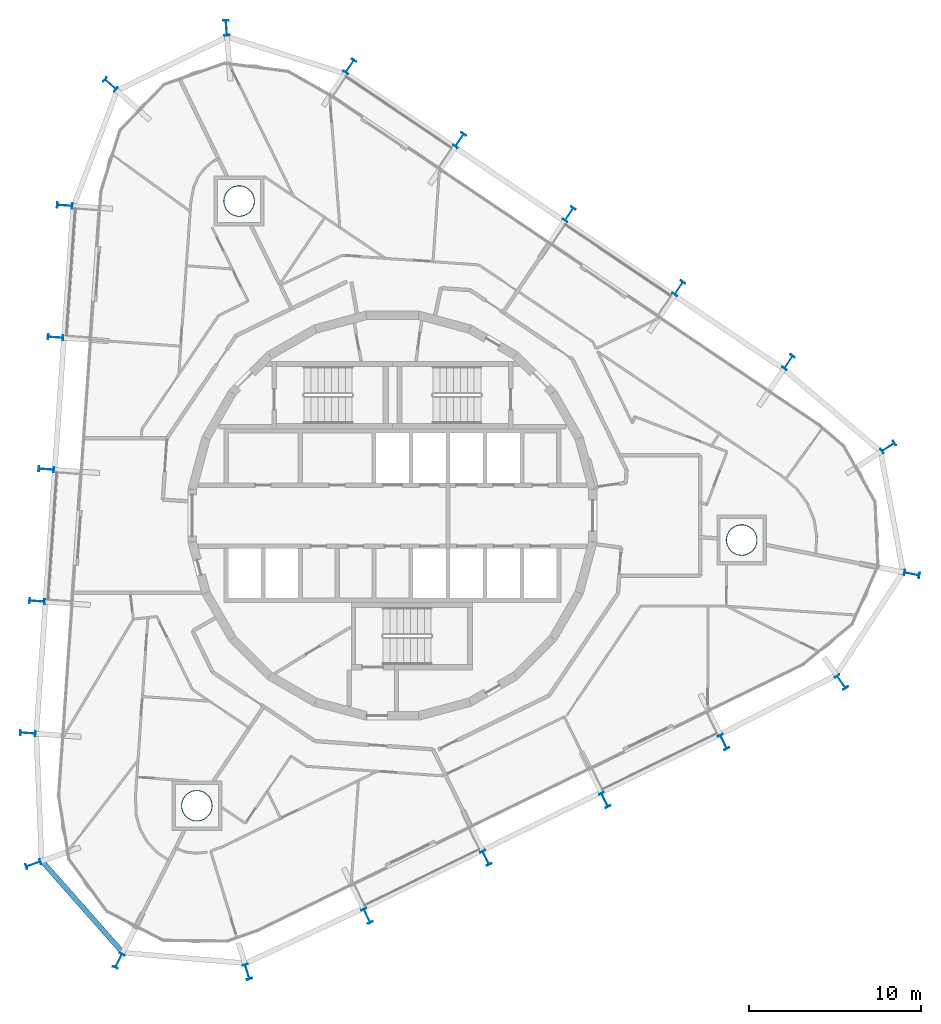
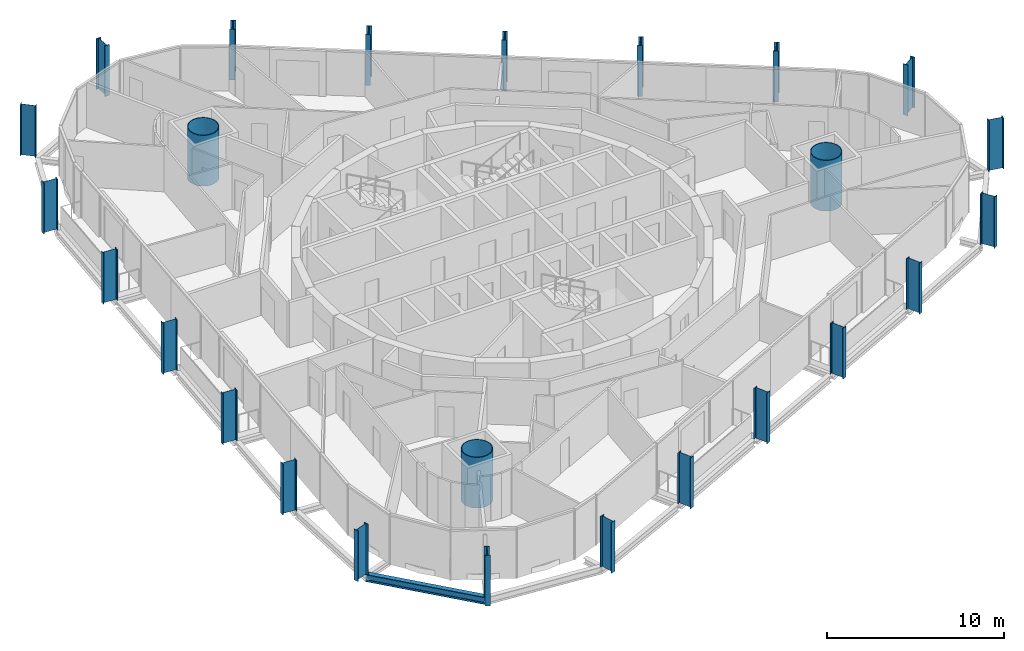
# One storey, part 1 of 18: 25 columns, 1 beam.
"""IFC4 building model written with IfcOpenShell, lengths in metres."""

from ifc_helpers import new_model, si_unit, direction, frame, origin, origin_2d, place, context, subcontext, project, spatial, hollow_circle, i_section, extrude, material, material_profile, profile_set, type_object, element, save


model = new_model("IFC4")

# Units and contexts
model_context = context("Model", 3, precision=1e-05, world=origin(), true_north=direction((0.0, 1.0)))
body_context = subcontext(model_context, "Body", "Model", "MODEL_VIEW")
ifc_project = project(units=[si_unit("LENGTHUNIT", "METRE"), si_unit("AREAUNIT", "SQUARE_METRE"), si_unit("VOLUMEUNIT", "CUBIC_METRE"), si_unit("PLANEANGLEUNIT", "RADIAN"), si_unit("MASSUNIT", "GRAM", prefix="KILO")], contexts=[model_context])

# Site, building, storey
site_placement = place(None, origin())
site = spatial("IfcSite", under=ifc_project, at=site_placement, CompositionType="ELEMENT")
building_placement = place(site_placement, origin())
building = spatial("IfcBuilding", under=site, at=building_placement, Name="Spindle Arch Residences", CompositionType="ELEMENT")
storey_placement = place(building_placement, frame((0.0, 0.0, 195.39990234375)))
storey = spatial("IfcBuildingStorey", under=building, at=storey_placement, Name="L49", CompositionType="ELEMENT", Elevation=195.39990234375)

# Columns
ifc_material_1 = material(Name="Steel S460ML, intumescent coating R 240", Category="steel")
ifc_material_profile_1 = material_profile(ifc_material_1, i_section(OverallWidth=0.300048828125, OverallDepth=0.89990234375, WebThickness=0.0185546875, FlangeThickness=0.034912109375, FilletRadius=0.030029296875, at=origin_2d()), Name="HEB 900")
ifc_profile_set_1 = profile_set([ifc_material_profile_1], Name="Steel S460ML, intumescent coating R 240")
column_type_1 = type_object("IfcColumnType", Name="Exoskeleton post HEB 900", PredefinedType="COLUMN", material=ifc_profile_set_1)
for number, where, z_axis, x_axis, name in (
    (1, (12.347900390625, -16.5419921875, -0.3798828125), (0.0, 0.0, 1.0), (-0.898794095235, -0.438371046456, 0.0), "Exoskeleton post 1"),
    (2, (19.26318359375, -13.169189453125, -0.3798828125), (0.0, 0.0, 1.0), (-0.898794095235, -0.438371046456, 0.0), "Exoskeleton post 2"),
    (3, (26.11669921875, -9.685546875, -0.3798828125), (0.0, 0.0, 1.0), (-0.818345137662, -0.574727096686, 0.0), "Exoskeleton post 3"),
    (4, (30.217041015625, -3.39501953125, -0.3798828125), (0.0, 0.0, 1.0), (-0.195504943379, -0.980702715972, 0.0), "Exoskeleton post 4"),
    (5, (28.84228515625, 3.9873046875, -0.3798828125), (0.0, 0.0, 1.0), (0.535400283339, -0.844598446956, 0.0), "Exoskeleton post 5"),
    (6, (23.03466796875, 8.926025390625, -0.3798828125), (0.0, 0.0, 1.0), (0.829037661466, -0.559192771654, 0.0), "Exoskeleton post 6"),
    (7, (16.65625, 13.228271484375, -0.3798828125), (0.0, 0.0, 1.0), (0.829037661466, -0.559192771654, 0.0), "Exoskeleton post 7"),
    (8, (10.27783203125, 17.530517578125, -0.3798828125), (0.0, 0.0, 1.0), (0.829037661466, -0.559192771654, 0.0), "Exoskeleton post 8"),
    (9, (3.8994140625, 21.832763671875, -0.3798828125), (0.0, 0.0, 1.0), (0.829037661466, -0.559192771654, 0.0), "Exoskeleton post 9"),
    (10, (-2.47900390625, 26.135009765625, -0.3798828125), (0.0, 0.0, 1.0), (0.829037661466, -0.559192771654, 0.0), "Exoskeleton post 10"),
    (11, (-9.66162109375, 28.3740234375, -0.3798828125), (0.0, 0.0, 1.0), (0.997343345089, 0.072844025201, 0.0), "Exoskeleton post 11"),
    (12, (-16.41064453125, 25.082275390625, -0.3798828125), (0.0, 0.0, 1.0), (0.671427897912, 0.741069887329, 0.0), "Exoskeleton post 12"),
    (13, (-19.068603515625, 18.043701171875, -0.3798828125), (0.0, 0.0, 1.0), (0.069756005795, 0.997564082982, 0.0), "Exoskeleton post 13"),
    (14, (-19.605224609375, 10.368896484375, -0.3798828125), (0.0, 0.0, 1.0), (0.069756005795, 0.997564082982, 0.0), "Exoskeleton post 14"),
    (15, (-20.141845703125, 2.69384765625, -0.3798828125), (0.0, 0.0, 1.0), (0.069756005795, 0.997564082982, 0.0), "Exoskeleton post 15"),
    (16, (-20.6787109375, -4.981201171875, -0.3798828125), (0.0, 0.0, 1.0), (0.069756005795, 0.997564082982, 0.0), "Exoskeleton post 16"),
    (17, (-21.21533203125, -12.656005859375, -0.3798828125), (0.0, 0.0, 1.0), (0.069756005795, 0.997564082982, 0.0), "Exoskeleton post 17"),
    (18, (-20.899169921875, -20.273193359375, -0.3798828125), (0.0, 0.0, 1.0), (-0.335927007751, 0.941888021722, 0.0), "Exoskeleton post 18"),
    (19, (-15.92822265625, -25.901611328125, -0.3798828125), (0.0, 0.0, 1.0), (-0.893169071277, 0.449721035881, 0.0), "Exoskeleton post 19"),
    (20, (-8.446533203125, -26.543212890625, -0.3798828125), (0.0, 0.0, 1.0), (-0.956714575216, -0.291027870778, 0.0), "Exoskeleton post 20"),
    (21, (-1.482177734375, -23.287353515625, -0.3798828125), (0.0, 0.0, 1.0), (-0.898794095235, -0.438371046456, 0.0), "Exoskeleton post 21"),
    (22, (5.43310546875, -19.91455078125, -0.3798828125), (0.0, 0.0, 1.0), (-0.898794095235, -0.438371046456, 0.0), "Exoskeleton post 22"),
):
    element("IfcColumn", number, at=place(storey_placement, frame(where, z_axis=z_axis, x_axis=x_axis)), inside=storey, type_object=column_type_1, Name=name, PredefinedType="COLUMN", context=body_context, shape_type="SweptSolid", body=[
        extrude(i_section(OverallWidth=0.300048828125, OverallDepth=0.89990234375, WebThickness=0.0185546875, FlangeThickness=0.034912109375, FilletRadius=0.030029296875, at=origin_2d()), origin(), (0.0, 0.0, 1.0), 3.5),
    ])
ifc_material_2 = material(Name="Concrete C50/60 filled steel tube S460ML, intumescent coating R 240", Category="concrete")
ifc_material_profile_2 = material_profile(ifc_material_2, hollow_circle(Radius=0.89990234375, WallThickness=0.0400390625, at=origin_2d()), Name="CFT D1800x40")
ifc_profile_set_2 = profile_set([ifc_material_profile_2], Name="Concrete C50/60 filled steel tube S460ML, intumescent coating R 240")
column_type_2 = type_object("IfcColumnType", Name="Mega-column CFT D1800x40", PredefinedType="COLUMN", material=ifc_profile_set_2)
for number, where, z_axis, x_axis, name in (
    (23, (20.31201171875, -1.42041015625, -0.3798828125), (0.0, 0.0, 1.0), (1.0, 0.0, 0.0), "Mega-column 1"),
    (24, (-8.92578125, 18.30078125, -0.3798828125), (0.0, 0.0, 1.0), (1.0, 0.0, 0.0), "Mega-column 2"),
    (25, (-11.385986328125, -16.880615234375, -0.3798828125), (0.0, 0.0, 1.0), (1.0, 0.0, 0.0), "Mega-column 3"),
):
    element("IfcColumn", number, at=place(storey_placement, frame(where, z_axis=z_axis, x_axis=x_axis)), inside=storey, type_object=column_type_2, Name=name, PredefinedType="COLUMN", context=body_context, shape_type="SweptSolid", body=[
        extrude(hollow_circle(Radius=0.89990234375, WallThickness=0.0400390625, at=origin_2d()), origin(), (0.0, 0.0, 1.0), 3.5),
    ])

# Beam
ifc_material_3 = material(Name="Steel S460ML, intumescent coating R 120", Category="steel")
ifc_material_profile_3 = material_profile(ifc_material_3, i_section(OverallWidth=0.300048828125, OverallDepth=0.5, WebThickness=0.014404296875, FlangeThickness=0.028076171875, FilletRadius=0.027099609375, at=origin_2d()), Name="HEB 500")
ifc_profile_set_3 = profile_set([ifc_material_profile_3], Name="Steel S460ML, intumescent coating R 120")
beam_type = type_object("IfcBeamType", Name="Exoskeleton edge beam HEB 500", PredefinedType="BEAM", material=ifc_profile_set_3)
beam_placement = place(storey_placement, frame((-20.44580078125, -20.04638671875, -0.6298828125), z_axis=(0.661985798565, -0.749516379073, 0.0), x_axis=(0.749516379073, 0.661985798565, 0.0)))
element("IfcBeam", 26, at=beam_placement, inside=storey, type_object=beam_type, Name="Exoskeleton edge beam 18", PredefinedType="BEAM", context=body_context, shape_type="SweptSolid", body=[
    extrude(i_section(OverallWidth=0.300048828125, OverallDepth=0.5, WebThickness=0.014404296875, FlangeThickness=0.028076171875, FilletRadius=0.027099609375, at=origin_2d()), origin(), (0.0, 0.0, 1.0), 7.2490234375),
])

save(model, "model.ifc")
